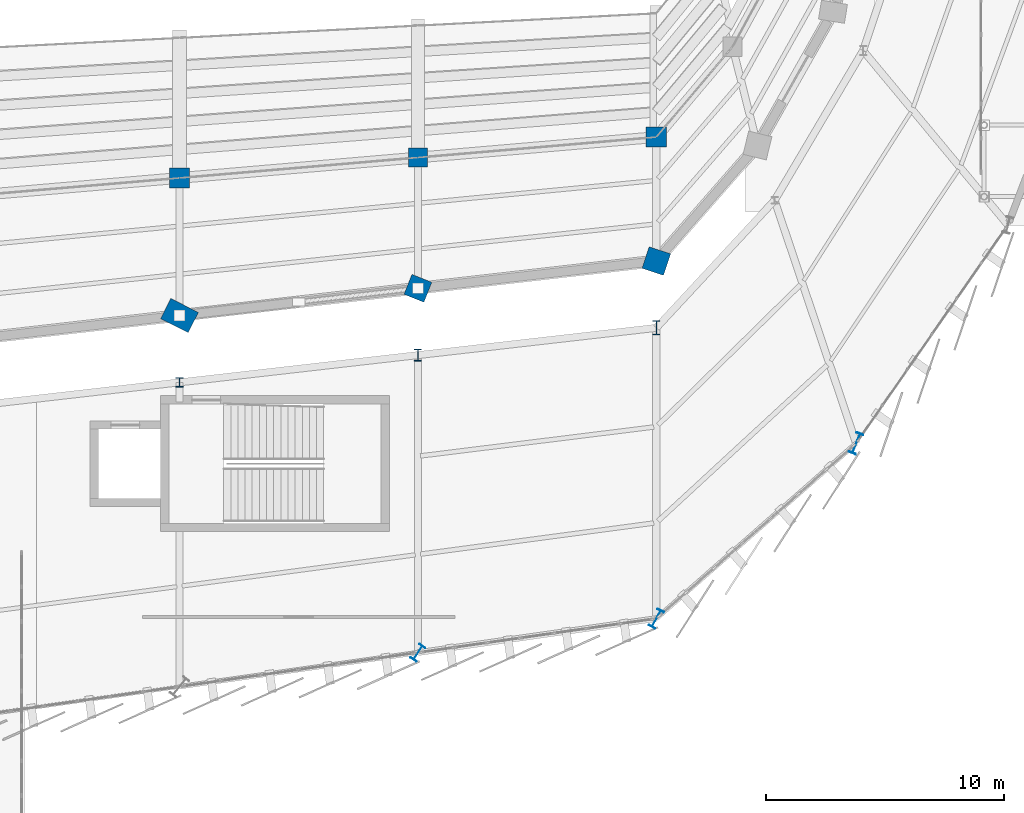
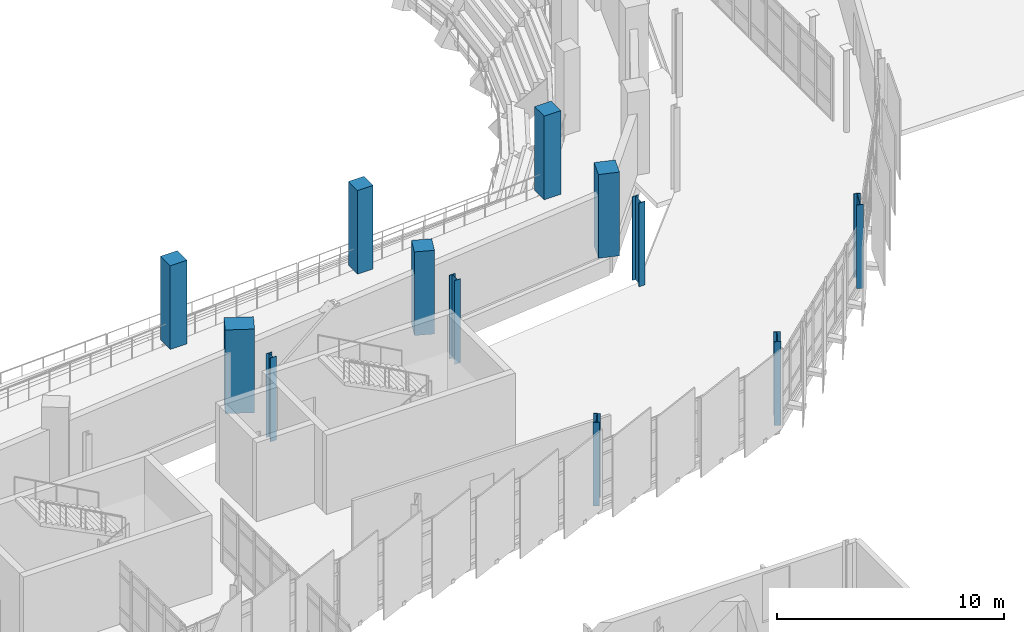
# One storey, part 18 of 134: 12 columns.
"""IFC4 building model written with IfcOpenShell, lengths in metres."""

from ifc_helpers import new_model, si_unit, direction, frame, origin, origin_2d, place, context, subcontext, project, spatial, rectangle, i_section, extrude, material, material_profile, profile_set, type_object, element, save


model = new_model("IFC4")

# Units and contexts
model_context = context("Model", 3, precision=1e-05, world=origin(), true_north=direction((0.0, 1.0)))
body_context = subcontext(model_context, "Body", "Model", "MODEL_VIEW")
ifc_project = project(units=[si_unit("LENGTHUNIT", "METRE"), si_unit("AREAUNIT", "SQUARE_METRE"), si_unit("VOLUMEUNIT", "CUBIC_METRE"), si_unit("PLANEANGLEUNIT", "RADIAN"), si_unit("MASSUNIT", "GRAM", prefix="KILO")], contexts=[model_context])

# Site, building, storey
site_placement = place(None, origin())
site = spatial("IfcSite", under=ifc_project, at=site_placement, CompositionType="ELEMENT")
building_placement = place(site_placement, origin())
building = spatial("IfcBuilding", under=site, at=building_placement, Name="Sohan Crest Arena", CompositionType="ELEMENT")
storey_placement = place(building_placement, frame((0.0, 0.0, 4.5)))
storey = spatial("IfcBuildingStorey", under=building, at=storey_placement, Name="L01", CompositionType="ELEMENT", Elevation=4.5)

# Columns
ifc_material_1 = material(Name="Concrete C40/50", Category="concrete")
ifc_material_profile_1 = material_profile(ifc_material_1, rectangle(XDim=0.800048828125, YDim=0.800048828125, at=origin_2d()), Name="RC 800x800")
ifc_profile_set_1 = profile_set([ifc_material_profile_1], Name="Concrete C40/50")
column_type_1 = type_object("IfcColumnType", Name="STR-COL-C05", PredefinedType="COLUMN", material=ifc_profile_set_1)
column_1_placement = place(storey_placement, frame((158.0, 59.343017578125, 0.0), z_axis=(0.0, 0.0, 1.0), x_axis=(1.0, 0.0, 0.0)))
element("IfcColumn", 1, at=column_1_placement, inside=storey, type_object=column_type_1, Name="Structural column COL-V1M-19-L01", PredefinedType="COLUMN", context=body_context, shape_type="SweptSolid", body=[
    extrude(rectangle(XDim=0.800048828125, YDim=0.800048828125, at=origin_2d()), origin(), (0.0, 0.0, 1.0), 4.5),
])
ifc_material_profile_2 = material_profile(ifc_material_1, rectangle(XDim=0.85009765625, YDim=0.85009765625, at=origin_2d()), Name="RC 850x850")
ifc_profile_set_2 = profile_set([ifc_material_profile_2], Name="Concrete C40/50")
column_type_2 = type_object("IfcColumnType", Name="STR-COL-C06", PredefinedType="COLUMN", material=ifc_profile_set_2)
for number, where, z_axis, x_axis, name in (
    (2, (148.0, 58.486083984375, 0.0), (0.0, 0.0, 1.0), (1.0, 0.0, 0.0), "Structural column COL-V1M-18-L01"),
    (3, (168.0, 60.199951171875, 0.0), (0.0, 0.0, 1.0), (1.0, 0.0, 0.0), "Structural column COL-V1M-20-L01"),
):
    element("IfcColumn", number, at=place(storey_placement, frame(where, z_axis=z_axis, x_axis=x_axis)), inside=storey, type_object=column_type_2, Name=name, PredefinedType="COLUMN", context=body_context, shape_type="SweptSolid", body=[
        extrude(rectangle(XDim=0.85009765625, YDim=0.85009765625, at=origin_2d()), origin(), (0.0, 0.0, 1.0), 4.5),
    ])
ifc_material_profile_3 = material_profile(ifc_material_1, rectangle(XDim=0.89990234375, YDim=0.89990234375, at=origin_2d()), Name="RC 900x900")
ifc_profile_set_3 = profile_set([ifc_material_profile_3], Name="Concrete C40/50")
column_type_3 = type_object("IfcColumnType", Name="STR-COL-C07", PredefinedType="COLUMN", material=ifc_profile_set_3)
column_2_placement = place(storey_placement, frame((158.0, 53.85693359375, 0.0), z_axis=(0.0, 0.0, 1.0), x_axis=(-0.927836253899, 0.372987782576, 0.0)))
element("IfcColumn", 4, at=column_2_placement, inside=storey, type_object=column_type_3, Name="Structural column COL-V1R-19-L01", PredefinedType="COLUMN", context=body_context, shape_type="SweptSolid", body=[
    extrude(rectangle(XDim=0.89990234375, YDim=0.89990234375, at=origin_2d()), origin(), (0.0, 0.0, 1.0), 4.5),
])
ifc_material_profile_4 = material_profile(ifc_material_1, rectangle(XDim=0.949951171875, YDim=0.949951171875, at=origin_2d()), Name="RC 950x950")
ifc_profile_set_4 = profile_set([ifc_material_profile_4], Name="Concrete C40/50")
column_type_4 = type_object("IfcColumnType", Name="STR-COL-C08", PredefinedType="COLUMN", material=ifc_profile_set_4)
column_3_placement = place(storey_placement, frame((168.0, 55.0, 0.0), z_axis=(0.0, 0.0, 1.0), x_axis=(-0.949972051525, 0.312334918512, 0.0)))
element("IfcColumn", 5, at=column_3_placement, inside=storey, type_object=column_type_4, Name="Structural column COL-V1R-20-L01", PredefinedType="COLUMN", context=body_context, shape_type="SweptSolid", body=[
    extrude(rectangle(XDim=0.949951171875, YDim=0.949951171875, at=origin_2d()), origin(), (0.0, 0.0, 1.0), 4.5),
])
ifc_material_profile_5 = material_profile(ifc_material_1, rectangle(XDim=1.300048828125, YDim=0.949951171875, at=origin_2d()), Name="RC 1300x950")
ifc_profile_set_5 = profile_set([ifc_material_profile_5], Name="Concrete C40/50")
column_type_5 = type_object("IfcColumnType", Name="STR-COL-C12", PredefinedType="COLUMN", material=ifc_profile_set_5)
column_4_placement = place(storey_placement, frame((148.0, 52.714111328125, 0.0), z_axis=(0.0, 0.0, 1.0), x_axis=(-0.892585818452, 0.450877540689, 0.0)))
element("IfcColumn", 6, at=column_4_placement, inside=storey, type_object=column_type_5, Name="Structural column COL-V1R-18-L01", PredefinedType="COLUMN", context=body_context, shape_type="SweptSolid", body=[
    extrude(rectangle(XDim=1.300048828125, YDim=0.949951171875, at=origin_2d()), origin(), (0.0, 0.0, 1.0), 4.5),
])
ifc_material_2 = material(Name="Steel S355", Category="steel")
ifc_material_profile_6 = material_profile(ifc_material_2, i_section(OverallWidth=0.300048828125, OverallDepth=0.39990234375, WebThickness=0.013427734375, FlangeThickness=0.02392578125, at=origin_2d()), Name="HEB 400")
ifc_profile_set_6 = profile_set([ifc_material_profile_6], Name="Steel S355")
column_type_6 = type_object("IfcColumnType", Name="STR-COL-C18", PredefinedType="COLUMN", material=ifc_profile_set_6)
column_5_placement = place(storey_placement, frame((148.0, 49.9140625, 0.0), z_axis=(0.0, 0.0, 1.0), x_axis=(1.0, 0.0, 0.0)))
element("IfcColumn", 7, at=column_5_placement, inside=storey, type_object=column_type_6, Name="Structural column COL-V2I-18-L01", PredefinedType="COLUMN", context=body_context, shape_type="SweptSolid", body=[
    extrude(i_section(OverallWidth=0.300048828125, OverallDepth=0.39990234375, WebThickness=0.013427734375, FlangeThickness=0.02392578125, at=origin_2d()), origin(), (0.0, 0.0, 1.0), 4.5),
])
ifc_material_profile_7 = material_profile(ifc_material_2, i_section(OverallWidth=0.300048828125, OverallDepth=0.5, WebThickness=0.014404296875, FlangeThickness=0.028076171875, at=origin_2d()), Name="HEB 500")
ifc_profile_set_7 = profile_set([ifc_material_profile_7], Name="Steel S355")
column_type_7 = type_object("IfcColumnType", Name="STR-COL-C19", PredefinedType="COLUMN", material=ifc_profile_set_7)
column_6_placement = place(storey_placement, frame((158.0, 51.056884765625, 0.0), z_axis=(0.0, 0.0, 1.0), x_axis=(1.0, 0.0, 0.0)))
element("IfcColumn", 8, at=column_6_placement, inside=storey, type_object=column_type_7, Name="Structural column COL-V2I-19-L01", PredefinedType="COLUMN", context=body_context, shape_type="SweptSolid", body=[
    extrude(i_section(OverallWidth=0.300048828125, OverallDepth=0.5, WebThickness=0.014404296875, FlangeThickness=0.028076171875, at=origin_2d()), origin(), (0.0, 0.0, 1.0), 4.5),
])
ifc_material_profile_8 = material_profile(ifc_material_2, i_section(OverallWidth=0.300048828125, OverallDepth=0.60009765625, WebThickness=0.015380859375, FlangeThickness=0.030029296875, at=origin_2d()), Name="HEB 600")
ifc_profile_set_8 = profile_set([ifc_material_profile_8], Name="Steel S355")
column_type_8 = type_object("IfcColumnType", Name="STR-COL-C20", PredefinedType="COLUMN", material=ifc_profile_set_8)
column_7_placement = place(storey_placement, frame((168.0, 52.199951171875, 0.0), z_axis=(0.0, 0.0, 1.0), x_axis=(1.0, 0.0, 0.0)))
element("IfcColumn", 9, at=column_7_placement, inside=storey, type_object=column_type_8, Name="Structural column COL-V2I-20-L01", PredefinedType="COLUMN", context=body_context, shape_type="SweptSolid", body=[
    extrude(i_section(OverallWidth=0.300048828125, OverallDepth=0.60009765625, WebThickness=0.015380859375, FlangeThickness=0.030029296875, at=origin_2d()), origin(), (0.0, 0.0, 1.0), 4.5),
])
ifc_material_profile_9 = material_profile(ifc_material_2, i_section(OverallWidth=0.300048828125, OverallDepth=0.699951171875, WebThickness=0.01708984375, FlangeThickness=0.031982421875, at=origin_2d()), Name="HEB 700")
ifc_profile_set_9 = profile_set([ifc_material_profile_9], Name="Steel S355")
column_type_9 = type_object("IfcColumnType", Name="STR-COL-C21", PredefinedType="COLUMN", material=ifc_profile_set_9)
column_8_placement = place(storey_placement, frame((158.0, 38.571044921875, 0.0), z_axis=(0.0, 0.0, 1.0), x_axis=(-0.835807361368, 0.549022817998, 0.0)))
element("IfcColumn", 10, at=column_8_placement, inside=storey, type_object=column_type_9, Name="Structural column COL-V2O-19-L01", PredefinedType="COLUMN", context=body_context, shape_type="SweptSolid", body=[
    extrude(i_section(OverallWidth=0.300048828125, OverallDepth=0.699951171875, WebThickness=0.01708984375, FlangeThickness=0.031982421875, at=origin_2d()), origin(), (0.0, 0.0, 1.0), 4.5),
])
ifc_material_profile_10 = material_profile(ifc_material_2, i_section(OverallWidth=0.300048828125, OverallDepth=0.800048828125, WebThickness=0.017578125, FlangeThickness=0.032958984375, at=origin_2d()), Name="HEB 800")
ifc_profile_set_10 = profile_set([ifc_material_profile_10], Name="Steel S355")
column_type_10 = type_object("IfcColumnType", Name="STR-COL-C22", PredefinedType="COLUMN", material=ifc_profile_set_10)
column_9_placement = place(storey_placement, frame((168.0, 40.0, 0.0), z_axis=(0.0, 0.0, 1.0), x_axis=(-0.878817112662, 0.47715876026, 0.0)))
element("IfcColumn", 11, at=column_9_placement, inside=storey, type_object=column_type_10, Name="Structural column COL-V2O-20-L01", PredefinedType="COLUMN", context=body_context, shape_type="SweptSolid", body=[
    extrude(i_section(OverallWidth=0.300048828125, OverallDepth=0.800048828125, WebThickness=0.017578125, FlangeThickness=0.032958984375, at=origin_2d()), origin(), (0.0, 0.0, 1.0), 4.5),
])
ifc_material_profile_11 = material_profile(ifc_material_2, i_section(OverallWidth=0.300048828125, OverallDepth=0.89990234375, WebThickness=0.0185546875, FlangeThickness=0.034912109375, at=origin_2d()), Name="HEB 900")
ifc_profile_set_11 = profile_set([ifc_material_profile_11], Name="Steel S355")
column_type_11 = type_object("IfcColumnType", Name="STR-COL-C23", PredefinedType="COLUMN", material=ifc_profile_set_11)
column_10_placement = place(storey_placement, frame((176.383056640625, 47.35498046875, 0.0), z_axis=(0.0, 0.0, 1.0), x_axis=(-0.931055815863, 0.364876784338, 0.0)))
element("IfcColumn", 12, at=column_10_placement, inside=storey, type_object=column_type_11, Name="Structural column COL-V2O-21-L01", PredefinedType="COLUMN", context=body_context, shape_type="SweptSolid", body=[
    extrude(i_section(OverallWidth=0.300048828125, OverallDepth=0.89990234375, WebThickness=0.0185546875, FlangeThickness=0.034912109375, at=origin_2d()), origin(), (0.0, 0.0, 1.0), 4.5),
])

save(model, "model.ifc")
